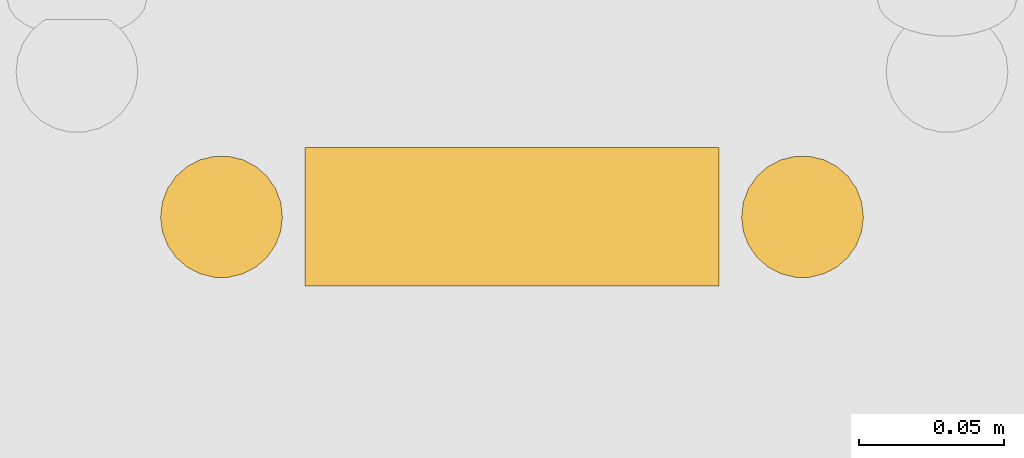
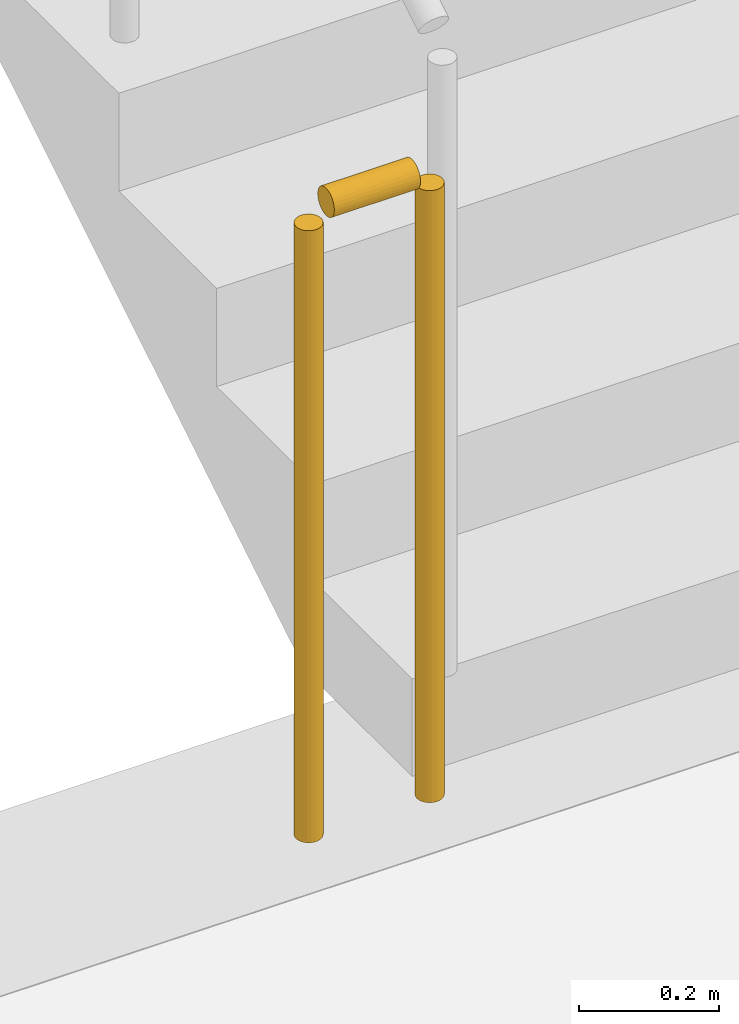
# One storey, part 28 of 36: 1 railing.
"""IFC4 building model written with IfcOpenShell, lengths in metres."""

from ifc_helpers import new_model, si_unit, direction, frame, origin, origin_2d, place, context, subcontext, project, spatial, circle, extrude, material, type_object, element, save


model = new_model("IFC4")

# Units and contexts
model_context = context("Model", 3, precision=1e-05, world=origin(), true_north=direction((0.0, 1.0)))
body_context = subcontext(model_context, "Body", "Model", "MODEL_VIEW")
ifc_project = project(units=[si_unit("LENGTHUNIT", "METRE"), si_unit("AREAUNIT", "SQUARE_METRE"), si_unit("VOLUMEUNIT", "CUBIC_METRE"), si_unit("PLANEANGLEUNIT", "RADIAN"), si_unit("MASSUNIT", "GRAM", prefix="KILO")], contexts=[model_context])

# Site, building, storey
site_placement = place(None, origin())
site = spatial("IfcSite", under=ifc_project, at=site_placement, CompositionType="ELEMENT")
building_placement = place(site_placement, origin())
building = spatial("IfcBuilding", under=site, at=building_placement, Name="Zuvorla Pavilion Media Centre", CompositionType="ELEMENT")
storey_placement = place(building_placement, origin())
storey = spatial("IfcBuildingStorey", under=building, at=storey_placement, Name="L00", CompositionType="ELEMENT", Elevation=0.0)

# Railing
ifc_material = material(Name="Powder-coated steel balustrade guard", Category="steel")
railing_type = type_object("IfcRailingType", Name="RL-INT-GRD", PredefinedType="BALUSTRADE", material=ifc_material)
railing_placement = place(storey_placement, frame((44.85009765625, 37.64990234375, 0.0)))
element("IfcRailing", 1, at=railing_placement, inside=storey, type_object=railing_type, Name="L00 ST-03 stair guard 4", PredefinedType="BALUSTRADE", context=body_context, shape_type="SweptSolid", body=[
    extrude(circle(Radius=0.02392578125, at=origin_2d()), frame((-0.02880859375, 0.0, 1.09619140625), z_axis=(-1.0, 0.0, 0.0), x_axis=(0.0, -1.0, 0.0)), (0.0, 0.0, 1.0), 0.142578125),
    extrude(circle(Radius=0.02099609375, at=origin_2d()), origin(), (0.0, 0.0, 1.0), 1.070068359375),
    extrude(circle(Radius=0.02099609375, at=origin_2d()), frame((-0.2001953125, 0.0, 0.0)), (0.0, 0.0, 1.0), 1.070068359375),
])

save(model, "model.ifc")
